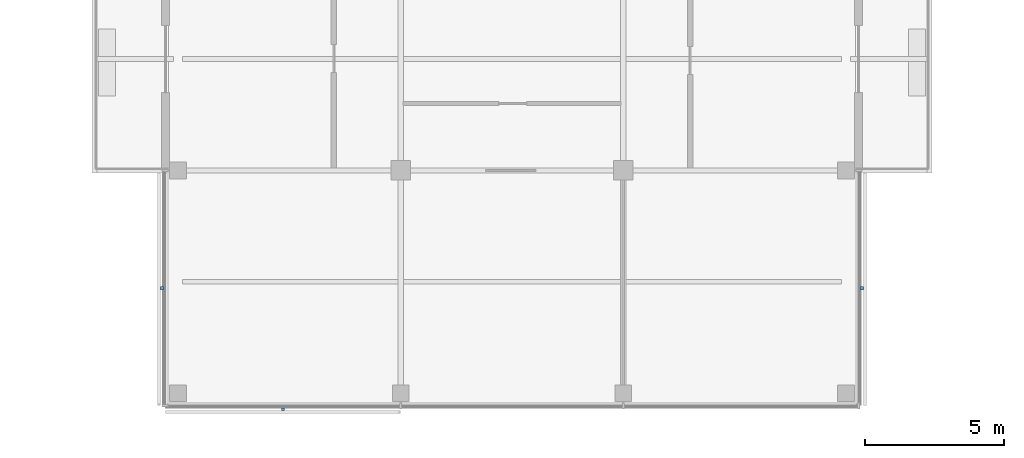
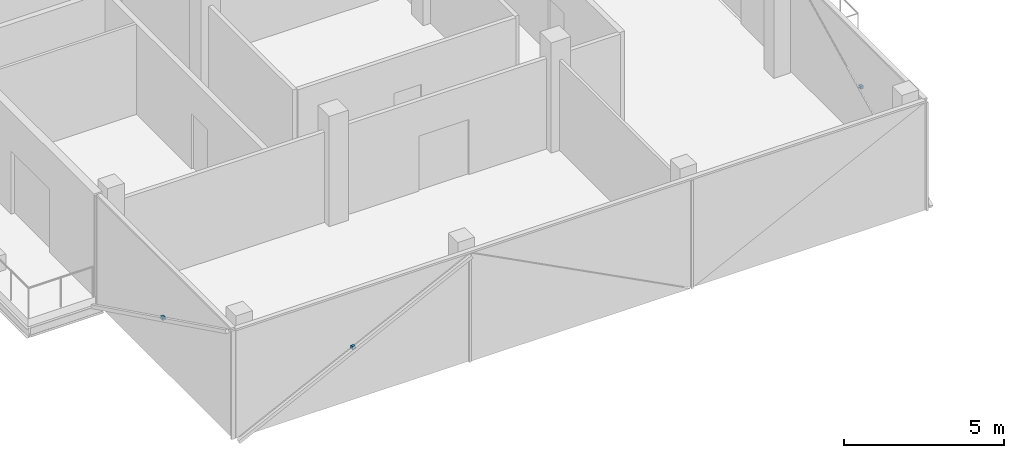
# One storey, part 10 of 12: 3 discrete accessories.
"""IFC4 building model written with IfcOpenShell, lengths in metres."""

from ifc_helpers import new_model, si_unit, direction, frame, origin, origin_2d, place, context, subcontext, project, spatial, rectangle, extrude, material, type_object, element, save


model = new_model("IFC4")

# Units and contexts
model_context = context("Model", 3, precision=1e-05, world=origin(), true_north=direction((0.0, 1.0)))
body_context = subcontext(model_context, "Body", "Model", "MODEL_VIEW")
ifc_project = project(units=[si_unit("LENGTHUNIT", "METRE"), si_unit("AREAUNIT", "SQUARE_METRE"), si_unit("VOLUMEUNIT", "CUBIC_METRE"), si_unit("PLANEANGLEUNIT", "RADIAN"), si_unit("MASSUNIT", "GRAM", prefix="KILO")], contexts=[model_context])

# Site, building, storey
site_placement = place(None, origin())
site = spatial("IfcSite", under=ifc_project, at=site_placement, CompositionType="ELEMENT")
building_placement = place(site_placement, origin())
building = spatial("IfcBuilding", under=site, at=building_placement, Name="Crosswind Convention Tower", CompositionType="ELEMENT")
storey_placement = place(building_placement, frame((0.0, 0.0, 245.10009765625)))
storey = spatial("IfcBuildingStorey", under=building, at=storey_placement, Name="L52", CompositionType="ELEMENT", Elevation=245.10009765625)

# Discrete accessories
ifc_material = material(Name="Stainless steel", Category="steel")
discrete_accessory_type = type_object("IfcDiscreteAccessoryType", Name="BAGUETTE BRACKET BK3", PredefinedType="BRACKET", material=ifc_material)
for number, where, z_axis, x_axis, name in (
    (1, (112.424072265625, 75.77001953125, 1.704833984375), (0.0, 0.0, 1.0), (0.0, -1.0, 0.0), "BK3 baguette bracket"),
    (2, (116.77001953125, 71.424072265625, 1.704833984375), (0.0, 0.0, 1.0), (1.0, 0.0, 0.0), "BK3 baguette bracket"),
    (3, (137.575927734375, 75.77001953125, 1.704833984375), (0.0, 0.0, 1.0), (0.0, 1.0, 0.0), "BK3 baguette bracket"),
):
    element("IfcDiscreteAccessory", number, at=place(storey_placement, frame(where, z_axis=z_axis, x_axis=x_axis)), inside=storey, type_object=discrete_accessory_type, Name=name, PredefinedType="BRACKET", context=body_context, shape_type="SweptSolid", body=[
        extrude(rectangle(XDim=0.1201171875, YDim=0.10009765625, at=origin_2d()), origin(), (0.0, 0.0, 1.0), 0.1201171875),
    ])

save(model, "model.ifc")
